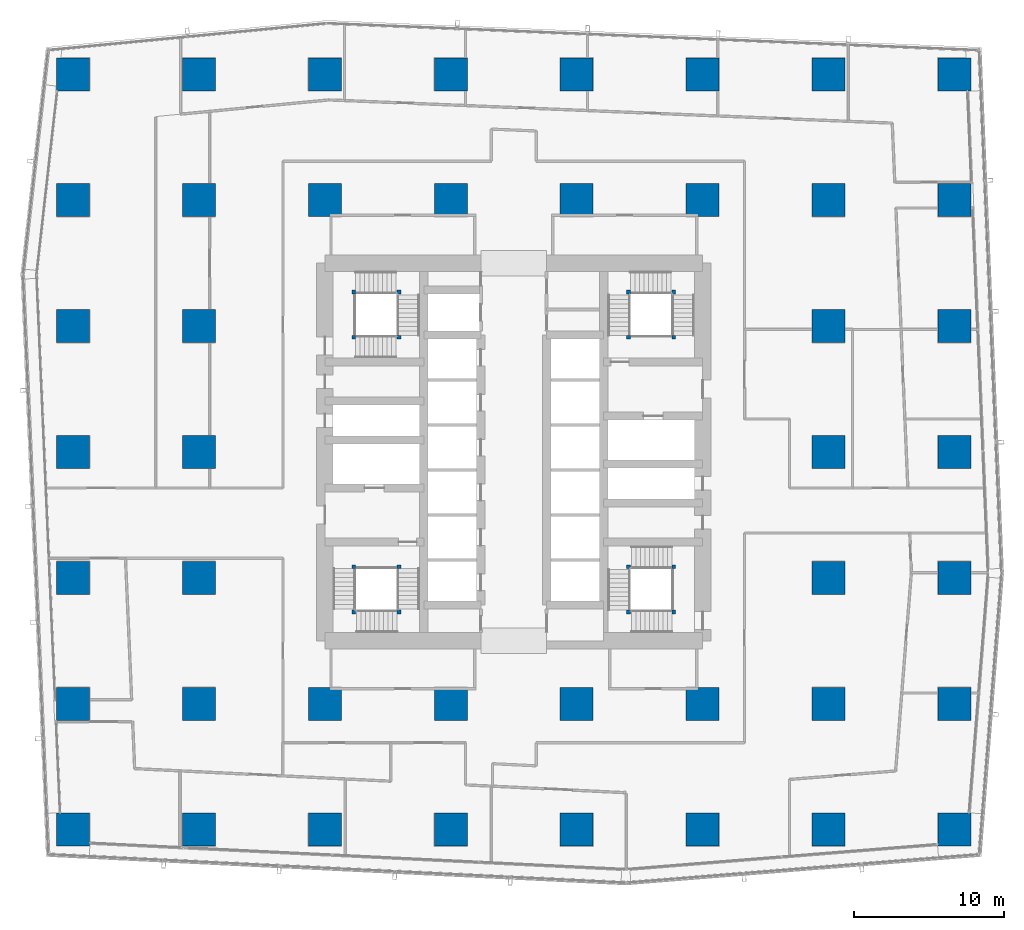
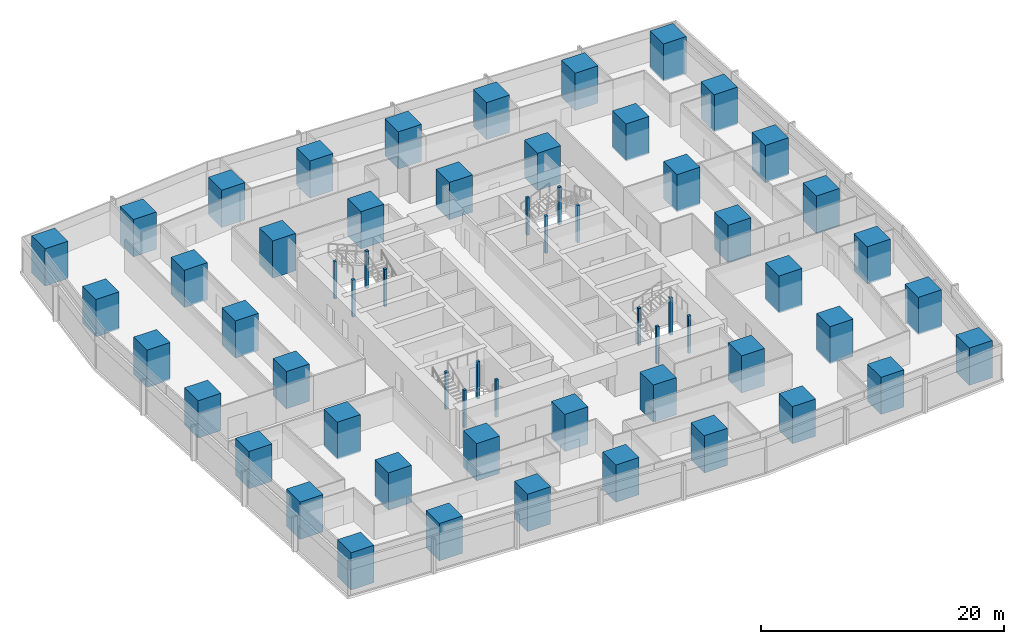
# One storey, part 1 of 44: 60 columns.
"""IFC4 building model written with IfcOpenShell, lengths in metres."""

from ifc_helpers import new_model, si_unit, direction, frame, origin, origin_2d, place, context, subcontext, project, spatial, rectangle, extrude, material, material_profile, profile_set, type_object, element, save


model = new_model("IFC4")

# Units and contexts
model_context = context("Model", 3, precision=1e-05, world=origin(), true_north=direction((0.0, 1.0)))
body_context = subcontext(model_context, "Body", "Model", "MODEL_VIEW")
ifc_project = project(units=[si_unit("LENGTHUNIT", "METRE"), si_unit("AREAUNIT", "SQUARE_METRE"), si_unit("VOLUMEUNIT", "CUBIC_METRE"), si_unit("PLANEANGLEUNIT", "RADIAN"), si_unit("MASSUNIT", "GRAM", prefix="KILO")], contexts=[model_context])

# Site, building, storey
site_placement = place(None, origin())
site = spatial("IfcSite", under=ifc_project, at=site_placement, CompositionType="ELEMENT")
building_placement = place(site_placement, origin())
building = spatial("IfcBuilding", under=site, at=building_placement, Name="Rekha Terrace Tower", CompositionType="ELEMENT")
storey_placement = place(building_placement, frame((0.0, 0.0, 62.89990234375)))
storey = spatial("IfcBuildingStorey", under=building, at=storey_placement, Name="L15", CompositionType="ELEMENT", Elevation=62.89990234375)

# Columns
ifc_material_1 = material(Name="Concrete M70", Category="concrete")
ifc_material_profile_1 = material_profile(ifc_material_1, rectangle(XDim=2.199951171875, YDim=2.199951171875, at=origin_2d()), Name="RC 2200x2200")
ifc_profile_set_1 = profile_set([ifc_material_profile_1], Name="Concrete M70")
column_type_1 = type_object("IfcColumnType", Name="C2 2200x2200 column", PredefinedType="COLUMN", material=ifc_profile_set_1)
for number, where, z_axis, x_axis, name in (
    (1, (8.39990234375, 8.39990234375, 0.0), (0.0, 0.0, 1.0), (1.0, 0.0, 0.0), "Column C2 2/B L15"),
    (2, (8.39990234375, 16.800048828125, 0.0), (0.0, 0.0, 1.0), (1.0, 0.0, 0.0), "Column C2 2/C L15"),
    (3, (8.39990234375, 25.199951171875, 0.0), (0.0, 0.0, 1.0), (1.0, 0.0, 0.0), "Column C2 2/D L15"),
    (4, (8.39990234375, 33.60009765625, 0.0), (0.0, 0.0, 1.0), (1.0, 0.0, 0.0), "Column C2 2/E L15"),
    (5, (8.39990234375, 42.0, 0.0), (0.0, 0.0, 1.0), (1.0, 0.0, 0.0), "Column C2 2/F L15"),
    (6, (8.39990234375, 50.39990234375, 0.0), (0.0, 0.0, 1.0), (1.0, 0.0, 0.0), "Column C2 2/G L15"),
    (7, (8.39990234375, 58.800048828125, 0.0), (0.0, 0.0, 1.0), (1.0, 0.0, 0.0), "Column C2 2/H L15"),
    (8, (16.800048828125, 8.39990234375, 0.0), (0.0, 0.0, 1.0), (1.0, 0.0, 0.0), "Column C2 3/B L15"),
    (9, (16.800048828125, 16.800048828125, 0.0), (0.0, 0.0, 1.0), (1.0, 0.0, 0.0), "Column C2 3/C L15"),
    (10, (16.800048828125, 25.199951171875, 0.0), (0.0, 0.0, 1.0), (1.0, 0.0, 0.0), "Column C2 3/D L15"),
    (11, (16.800048828125, 33.60009765625, 0.0), (0.0, 0.0, 1.0), (1.0, 0.0, 0.0), "Column C2 3/E L15"),
    (12, (16.800048828125, 42.0, 0.0), (0.0, 0.0, 1.0), (1.0, 0.0, 0.0), "Column C2 3/F L15"),
    (13, (16.800048828125, 50.39990234375, 0.0), (0.0, 0.0, 1.0), (1.0, 0.0, 0.0), "Column C2 3/G L15"),
    (14, (16.800048828125, 58.800048828125, 0.0), (0.0, 0.0, 1.0), (1.0, 0.0, 0.0), "Column C2 3/H L15"),
    (15, (25.199951171875, 8.39990234375, 0.0), (0.0, 0.0, 1.0), (1.0, 0.0, 0.0), "Column C2 4/B L15"),
    (16, (25.199951171875, 16.800048828125, 0.0), (0.0, 0.0, 1.0), (1.0, 0.0, 0.0), "Column C2 4/C L15"),
    (17, (25.199951171875, 50.39990234375, 0.0), (0.0, 0.0, 1.0), (1.0, 0.0, 0.0), "Column C2 4/G L15"),
    (18, (25.199951171875, 58.800048828125, 0.0), (0.0, 0.0, 1.0), (1.0, 0.0, 0.0), "Column C2 4/H L15"),
    (19, (33.60009765625, 8.39990234375, 0.0), (0.0, 0.0, 1.0), (1.0, 0.0, 0.0), "Column C2 5/B L15"),
    (20, (33.60009765625, 16.800048828125, 0.0), (0.0, 0.0, 1.0), (1.0, 0.0, 0.0), "Column C2 5/C L15"),
    (21, (33.60009765625, 50.39990234375, 0.0), (0.0, 0.0, 1.0), (1.0, 0.0, 0.0), "Column C2 5/G L15"),
    (22, (33.60009765625, 58.800048828125, 0.0), (0.0, 0.0, 1.0), (1.0, 0.0, 0.0), "Column C2 5/H L15"),
    (23, (42.0, 8.39990234375, 0.0), (0.0, 0.0, 1.0), (1.0, 0.0, 0.0), "Column C2 6/B L15"),
    (24, (42.0, 16.800048828125, 0.0), (0.0, 0.0, 1.0), (1.0, 0.0, 0.0), "Column C2 6/C L15"),
    (25, (42.0, 50.39990234375, 0.0), (0.0, 0.0, 1.0), (1.0, 0.0, 0.0), "Column C2 6/G L15"),
    (26, (42.0, 58.800048828125, 0.0), (0.0, 0.0, 1.0), (1.0, 0.0, 0.0), "Column C2 6/H L15"),
    (27, (50.39990234375, 8.39990234375, 0.0), (0.0, 0.0, 1.0), (1.0, 0.0, 0.0), "Column C2 7/B L15"),
    (28, (50.39990234375, 16.800048828125, 0.0), (0.0, 0.0, 1.0), (1.0, 0.0, 0.0), "Column C2 7/C L15"),
    (29, (50.39990234375, 50.39990234375, 0.0), (0.0, 0.0, 1.0), (1.0, 0.0, 0.0), "Column C2 7/G L15"),
    (30, (50.39990234375, 58.800048828125, 0.0), (0.0, 0.0, 1.0), (1.0, 0.0, 0.0), "Column C2 7/H L15"),
    (31, (58.800048828125, 8.39990234375, 0.0), (0.0, 0.0, 1.0), (1.0, 0.0, 0.0), "Column C2 8/B L15"),
    (32, (58.800048828125, 16.800048828125, 0.0), (0.0, 0.0, 1.0), (1.0, 0.0, 0.0), "Column C2 8/C L15"),
    (33, (58.800048828125, 25.199951171875, 0.0), (0.0, 0.0, 1.0), (1.0, 0.0, 0.0), "Column C2 8/D L15"),
    (34, (58.800048828125, 33.60009765625, 0.0), (0.0, 0.0, 1.0), (1.0, 0.0, 0.0), "Column C2 8/E L15"),
    (35, (58.800048828125, 42.0, 0.0), (0.0, 0.0, 1.0), (1.0, 0.0, 0.0), "Column C2 8/F L15"),
    (36, (58.800048828125, 50.39990234375, 0.0), (0.0, 0.0, 1.0), (1.0, 0.0, 0.0), "Column C2 8/G L15"),
    (37, (58.800048828125, 58.800048828125, 0.0), (0.0, 0.0, 1.0), (1.0, 0.0, 0.0), "Column C2 8/H L15"),
    (38, (67.199951171875, 8.39990234375, 0.0), (0.0, 0.0, 1.0), (1.0, 0.0, 0.0), "Column C2 9/B L15"),
    (39, (67.199951171875, 16.800048828125, 0.0), (0.0, 0.0, 1.0), (1.0, 0.0, 0.0), "Column C2 9/C L15"),
    (40, (67.199951171875, 25.199951171875, 0.0), (0.0, 0.0, 1.0), (1.0, 0.0, 0.0), "Column C2 9/D L15"),
    (41, (67.199951171875, 33.60009765625, 0.0), (0.0, 0.0, 1.0), (1.0, 0.0, 0.0), "Column C2 9/E L15"),
    (42, (67.199951171875, 42.0, 0.0), (0.0, 0.0, 1.0), (1.0, 0.0, 0.0), "Column C2 9/F L15"),
    (43, (67.199951171875, 50.39990234375, 0.0), (0.0, 0.0, 1.0), (1.0, 0.0, 0.0), "Column C2 9/G L15"),
    (44, (67.199951171875, 58.800048828125, 0.0), (0.0, 0.0, 1.0), (1.0, 0.0, 0.0), "Column C2 9/H L15"),
):
    element("IfcColumn", number, at=place(storey_placement, frame(where, z_axis=z_axis, x_axis=x_axis)), inside=storey, type_object=column_type_1, Name=name, PredefinedType="COLUMN", context=body_context, shape_type="SweptSolid", body=[
        extrude(rectangle(XDim=2.199951171875, YDim=2.199951171875, at=origin_2d()), origin(), (0.0, 0.0, 1.0), 3.75),
    ])
ifc_material_2 = material(Name="Concrete M60", Category="concrete")
ifc_material_profile_2 = material_profile(ifc_material_2, rectangle(XDim=0.25, YDim=0.25, at=origin_2d()), Name="RC 250x250")
ifc_profile_set_2 = profile_set([ifc_material_profile_2], Name="Concrete M60")
column_type_2 = type_object("IfcColumnType", Name="NP1 250x250 stair newel post", PredefinedType="COLUMN", material=ifc_profile_set_2)
for number, where, z_axis, x_axis, name in (
    (45, (30.14990234375, 25.949951171875, 0.0), (0.0, 0.0, 1.0), (1.0, 0.0, 0.0), "Stair newel post NP1"),
    (46, (30.14990234375, 22.925048828125, 0.0), (0.0, 0.0, 1.0), (1.0, 0.0, 0.0), "Stair newel post NP1"),
    (47, (27.125, 22.925048828125, 0.0), (0.0, 0.0, 1.0), (1.0, 0.0, 0.0), "Stair newel post NP1"),
    (48, (27.125, 25.949951171875, 0.0), (0.0, 0.0, 1.0), (1.0, 0.0, 0.0), "Stair newel post NP1"),
    (49, (45.449951171875, 41.25, 0.0), (0.0, 0.0, 1.0), (1.0, 0.0, 0.0), "Stair newel post NP1"),
    (50, (45.449951171875, 44.27490234375, 0.0), (0.0, 0.0, 1.0), (1.0, 0.0, 0.0), "Stair newel post NP1"),
    (51, (48.47509765625, 44.27490234375, 0.0), (0.0, 0.0, 1.0), (1.0, 0.0, 0.0), "Stair newel post NP1"),
    (52, (48.47509765625, 41.25, 0.0), (0.0, 0.0, 1.0), (1.0, 0.0, 0.0), "Stair newel post NP1"),
    (53, (48.47509765625, 22.925048828125, 0.0), (0.0, 0.0, 1.0), (1.0, 0.0, 0.0), "Stair newel post NP1"),
    (54, (45.449951171875, 22.925048828125, 0.0), (0.0, 0.0, 1.0), (1.0, 0.0, 0.0), "Stair newel post NP1"),
    (55, (45.449951171875, 25.949951171875, 0.0), (0.0, 0.0, 1.0), (1.0, 0.0, 0.0), "Stair newel post NP1"),
    (56, (48.47509765625, 25.949951171875, 0.0), (0.0, 0.0, 1.0), (1.0, 0.0, 0.0), "Stair newel post NP1"),
    (57, (27.125, 41.25, 0.0), (0.0, 0.0, 1.0), (1.0, 0.0, 0.0), "Stair newel post NP1"),
    (58, (30.14990234375, 41.25, 0.0), (0.0, 0.0, 1.0), (1.0, 0.0, 0.0), "Stair newel post NP1"),
    (59, (30.14990234375, 44.27490234375, 0.0), (0.0, 0.0, 1.0), (1.0, 0.0, 0.0), "Stair newel post NP1"),
    (60, (27.125, 44.27490234375, 0.0), (0.0, 0.0, 1.0), (1.0, 0.0, 0.0), "Stair newel post NP1"),
):
    element("IfcColumn", number, at=place(storey_placement, frame(where, z_axis=z_axis, x_axis=x_axis)), inside=storey, type_object=column_type_2, Name=name, PredefinedType="COLUMN", context=body_context, shape_type="SweptSolid", body=[
        extrude(rectangle(XDim=0.25, YDim=0.25, at=origin_2d()), origin(), (0.0, 0.0, 1.0), 3.75),
    ])

save(model, "model.ifc")
